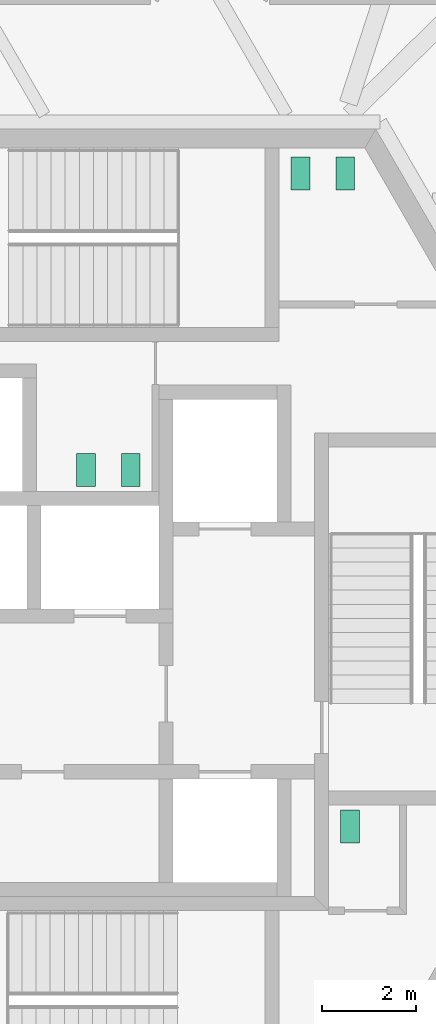
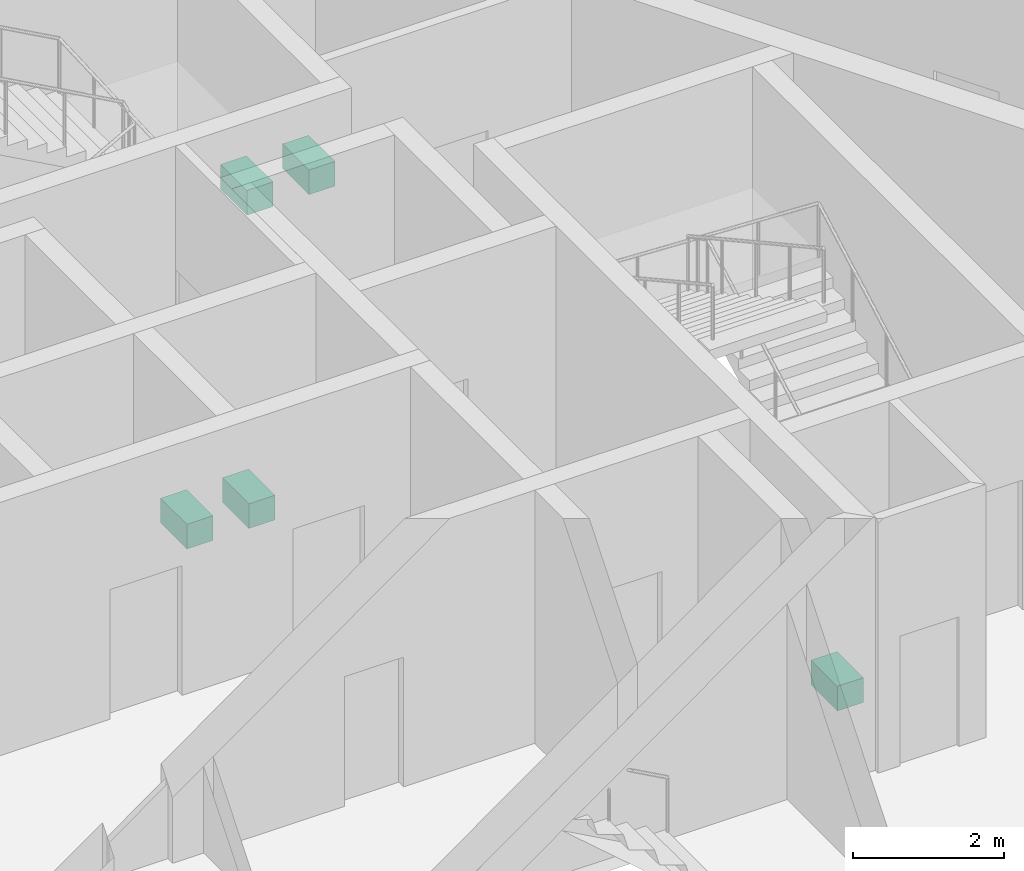
# One storey, part 16 of 16: 5 sanitary terminals.
"""IFC4 building model written with IfcOpenShell, lengths in metres."""

from ifc_helpers import new_model, si_unit, direction, frame, origin, origin_2d, place, context, subcontext, project, spatial, rectangle, extrude, source, transform, mapped, material, element, save


model = new_model("IFC4")

# Units and contexts
model_context = context("Model", 3, precision=1e-05, world=origin(), true_north=direction((0.0, 1.0)))
body_context = subcontext(model_context, "Body", "Model", "MODEL_VIEW")
ifc_project = project(units=[si_unit("LENGTHUNIT", "METRE"), si_unit("AREAUNIT", "SQUARE_METRE"), si_unit("VOLUMEUNIT", "CUBIC_METRE"), si_unit("PLANEANGLEUNIT", "RADIAN"), si_unit("MASSUNIT", "GRAM", prefix="KILO")], contexts=[model_context])

# Site, building, storey
site_placement = place(None, origin())
site = spatial("IfcSite", under=ifc_project, at=site_placement, CompositionType="ELEMENT")
building_placement = place(site_placement, origin())
building = spatial("IfcBuilding", under=site, at=building_placement, Name="Triune Harvest Tower", CompositionType="ELEMENT")
storey_placement = place(building_placement, frame((0.0, 0.0, 37.5)))
storey = spatial("IfcBuildingStorey", under=building, at=storey_placement, Name="L08", CompositionType="ELEMENT", Elevation=37.5)

# Sanitary terminals
ifc_material = material(Name="Vitreous china")
shared_shape = source(origin(), body_context, "Body", "SweptSolid", [
    extrude(rectangle(XDim=0.39990234375, YDim=0.699951171875, at=origin_2d()), origin(), (0.0, 0.0, 1.0), 0.39990234375),
])
for number, where, z_axis, x_axis, name in (
    (1, (4.39990234375, 9.449951171875, 0.0), (0.0, 0.0, 1.0), (1.0, 0.0, 0.0), "Toilet pan L08.c01"),
    (2, (5.35009765625, 9.449951171875, 0.0), (0.0, 0.0, 1.0), (1.0, 0.0, 0.0), "Toilet pan L08.c02"),
    (3, (0.800048828125, 3.159912109375, 0.0), (0.0, 0.0, 1.0), (-1.0, 0.0, 0.0), "Toilet pan L08.c03"),
    (4, (-0.14990234375, 3.159912109375, 0.0), (0.0, 0.0, 1.0), (-1.0, 0.0, 0.0), "Toilet pan L08.c04"),
    (5, (5.449951171875, -4.39990234375, 0.0), (0.0, 0.0, 1.0), (1.0, 0.0, 0.0), "Toilet pan L08.c05"),
):
    element("IfcSanitaryTerminal", number, at=place(storey_placement, frame(where, z_axis=z_axis, x_axis=x_axis)), inside=storey, material=ifc_material, Name=name, PredefinedType="TOILETPAN", context=body_context, shape_type="MappedRepresentation", body=[
        mapped(shared_shape, transform((0.0, 0.0, 0.0), scale=1.0)),
    ])

save(model, "model.ifc")
